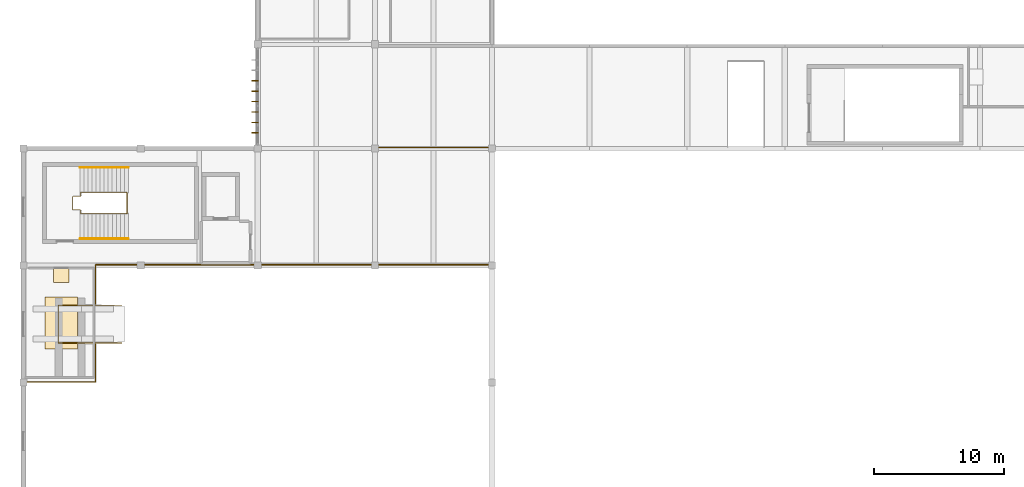
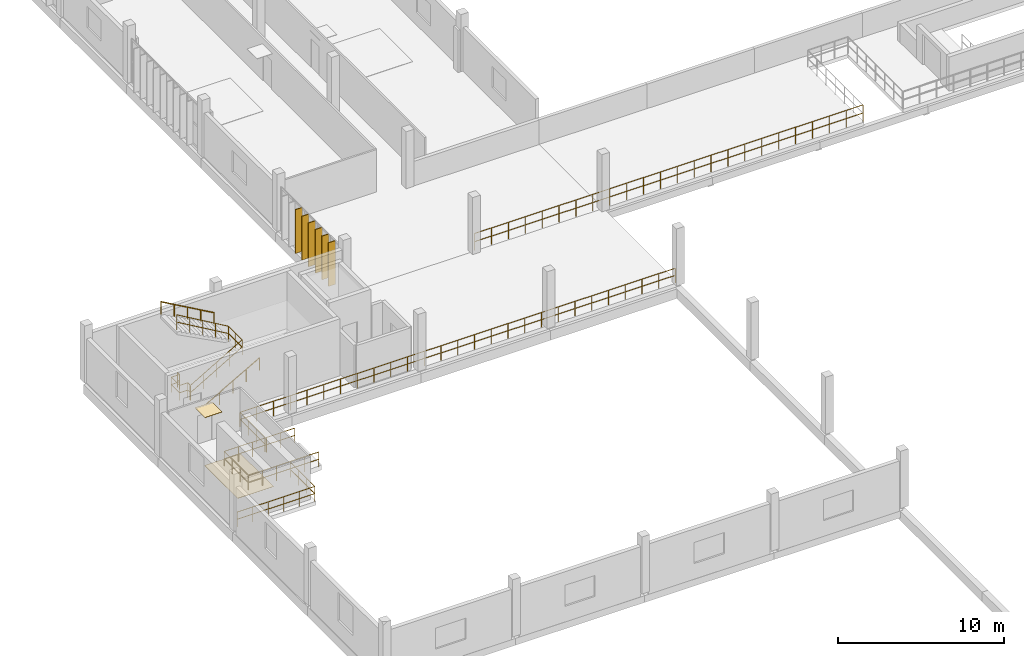
# One storey, part 52 of 61: 8 railings, 6 shading devices, 2 coverings.
"""IFC4 building model written with IfcOpenShell, lengths in metres."""

from ifc_helpers import new_model, si_unit, direction, frame, origin, origin_2d, place, context, subcontext, project, spatial, rectangle, circle, extrude, material, layer, layer_set, material_profile, profile_set, type_object, element, save


model = new_model("IFC4")

# Units and contexts
model_context = context("Model", 3, precision=1e-05, world=origin(), true_north=direction((0.0, 1.0)))
body_context = subcontext(model_context, "Body", "Model", "MODEL_VIEW")
ifc_project = project(units=[si_unit("LENGTHUNIT", "METRE"), si_unit("AREAUNIT", "SQUARE_METRE"), si_unit("VOLUMEUNIT", "CUBIC_METRE"), si_unit("PLANEANGLEUNIT", "RADIAN"), si_unit("MASSUNIT", "GRAM", prefix="KILO")], contexts=[model_context])

# Site, building, storey
site_placement = place(None, origin())
site = spatial("IfcSite", under=ifc_project, at=site_placement, CompositionType="ELEMENT")
building_placement = place(site_placement, origin())
building = spatial("IfcBuilding", under=site, at=building_placement, Name="Vourika Railside Aquatics Centre", CompositionType="ELEMENT")
storey_placement = place(building_placement, frame((0.0, 0.0, 9.300048828125)))
storey = spatial("IfcBuildingStorey", under=building, at=storey_placement, Name="L02", CompositionType="ELEMENT", Elevation=9.300048828125)

# Coverings
ifc_material_1 = material(Name="Perforated moisture-resistant acoustic gypsum ceiling")
ifc_layer_1 = layer(ifc_material_1, 0.02490234375, Name="COV-CEIL-25")
ifc_layer_set_1 = layer_set([ifc_layer_1], Name="Perforated moisture-resistant acoustic gypsum ceiling")
covering_type_1 = type_object("IfcCoveringType", Name="COV-CEIL-25", PredefinedType="CEILING", material=ifc_layer_set_1)
covering_1_placement = place(storey_placement, frame((2.89990234375, 48.280029296875, 2.637451171875), z_axis=(0.0, 0.0, 1.0), x_axis=(1.0, 0.0, 0.0)))
element("IfcCovering", 1, at=covering_1_placement, inside=storey, type_object=covering_type_1, Name="10 m Diving Platform Access and Judges Gallery Acoustic Ceiling Panel", PredefinedType="CEILING", context=body_context, shape_type="SweptSolid", body=[
    extrude(rectangle(XDim=1.199951171875, YDim=1.199951171875, at=origin_2d()), origin(), (0.0, 0.0, 1.0), 0.02490234375),
])
ifc_material_2 = material(Name="Slip-resistant aqua ceramic sports flooring")
ifc_layer_2 = layer(ifc_material_2, 0.02001953125, Name="COV-FLOR-20")
ifc_layer_set_2 = layer_set([ifc_layer_2], Name="Slip-resistant aqua ceramic sports flooring")
covering_type_2 = type_object("IfcCoveringType", Name="COV-FLOR-20", PredefinedType="FLOORING", material=ifc_layer_set_2)
covering_2_placement = place(storey_placement, frame((2.89990234375, 44.60009765625, 0.0), z_axis=(0.0, 0.0, 1.0), x_axis=(1.0, 0.0, 0.0)))
element("IfcCovering", 2, at=covering_2_placement, inside=storey, type_object=covering_type_2, Name="10 m Diving Platform Access and Judges Gallery Sports Flooring Panel", PredefinedType="FLOORING", context=body_context, shape_type="SweptSolid", body=[
    extrude(rectangle(XDim=2.5, YDim=4.0, at=origin_2d()), origin(), (0.0, 0.0, 1.0), 0.02001953125),
])

# Railings
ifc_material_3 = material(Name="Duplex stainless steel EN 1.4462", Category="steel")
railing_type_1 = type_object("IfcRailingType", Name="RL-BAL-CAT125", PredefinedType="BALUSTRADE", material=ifc_material_3)
railing_1_placement = place(storey_placement, frame((27.080078125, 58.080078125, 0.0)))
element("IfcRailing", 3, at=railing_1_placement, inside=storey, type_object=railing_type_1, Name="Broadcast Catwalk Poolside Guard 1", PredefinedType="BALUSTRADE", context=body_context, shape_type="SweptSolid", body=[
    extrude(circle(Radius=0.02392578125, at=origin_2d()), frame((0.0, 0.0, 1.22607421875), z_axis=(1.0, 0.0, 0.0), x_axis=(0.0, 1.0, 0.0)), (0.0, 0.0, 1.0), 27.0400390625),
    extrude(circle(Radius=0.02392578125, at=origin_2d()), frame((0.0, 0.0, 0.625), z_axis=(1.0, 0.0, 0.0), x_axis=(0.0, 1.0, 0.0)), (0.0, 0.0, 1.0), 27.0400390625),
    extrude(circle(Radius=0.02099609375, at=origin_2d()), origin(), (0.0, 0.0, 1.0), 1.201904296875),
    extrude(circle(Radius=0.02099609375, at=origin_2d()), frame((1.175537109375, 0.0, 0.0)), (0.0, 0.0, 1.0), 1.201904296875),
    extrude(circle(Radius=0.02099609375, at=origin_2d()), frame((2.351318359375, 0.0, 0.0)), (0.0, 0.0, 1.0), 1.201904296875),
    extrude(circle(Radius=0.02099609375, at=origin_2d()), frame((3.52685546875, 0.0, 0.0)), (0.0, 0.0, 1.0), 1.201904296875),
    extrude(circle(Radius=0.02099609375, at=origin_2d()), frame((4.70263671875, 0.0, 0.0)), (0.0, 0.0, 1.0), 1.201904296875),
    extrude(circle(Radius=0.02099609375, at=origin_2d()), frame((5.878173828125, 0.0, 0.0)), (0.0, 0.0, 1.0), 1.201904296875),
    extrude(circle(Radius=0.02099609375, at=origin_2d()), frame((7.053955078125, 0.0, 0.0)), (0.0, 0.0, 1.0), 1.201904296875),
    extrude(circle(Radius=0.02099609375, at=origin_2d()), frame((8.2294921875, 0.0, 0.0)), (0.0, 0.0, 1.0), 1.201904296875),
    extrude(circle(Radius=0.02099609375, at=origin_2d()), frame((9.4052734375, 0.0, 0.0)), (0.0, 0.0, 1.0), 1.201904296875),
    extrude(circle(Radius=0.02099609375, at=origin_2d()), frame((10.580810546875, 0.0, 0.0)), (0.0, 0.0, 1.0), 1.201904296875),
    extrude(circle(Radius=0.02099609375, at=origin_2d()), frame((11.756591796875, 0.0, 0.0)), (0.0, 0.0, 1.0), 1.201904296875),
    extrude(circle(Radius=0.02099609375, at=origin_2d()), frame((12.93212890625, 0.0, 0.0)), (0.0, 0.0, 1.0), 1.201904296875),
    extrude(circle(Radius=0.02099609375, at=origin_2d()), frame((14.10791015625, 0.0, 0.0)), (0.0, 0.0, 1.0), 1.201904296875),
    extrude(circle(Radius=0.02099609375, at=origin_2d()), frame((15.283447265625, 0.0, 0.0)), (0.0, 0.0, 1.0), 1.201904296875),
    extrude(circle(Radius=0.02099609375, at=origin_2d()), frame((16.459228515625, 0.0, 0.0)), (0.0, 0.0, 1.0), 1.201904296875),
    extrude(circle(Radius=0.02099609375, at=origin_2d()), frame((17.634765625, 0.0, 0.0)), (0.0, 0.0, 1.0), 1.201904296875),
    extrude(circle(Radius=0.02099609375, at=origin_2d()), frame((18.810546875, 0.0, 0.0)), (0.0, 0.0, 1.0), 1.201904296875),
    extrude(circle(Radius=0.02099609375, at=origin_2d()), frame((19.986083984375, 0.0, 0.0)), (0.0, 0.0, 1.0), 1.201904296875),
    extrude(circle(Radius=0.02099609375, at=origin_2d()), frame((21.161865234375, 0.0, 0.0)), (0.0, 0.0, 1.0), 1.201904296875),
    extrude(circle(Radius=0.02099609375, at=origin_2d()), frame((22.33740234375, 0.0, 0.0)), (0.0, 0.0, 1.0), 1.201904296875),
    extrude(circle(Radius=0.02099609375, at=origin_2d()), frame((23.51318359375, 0.0, 0.0)), (0.0, 0.0, 1.0), 1.201904296875),
    extrude(circle(Radius=0.02099609375, at=origin_2d()), frame((24.688720703125, 0.0, 0.0)), (0.0, 0.0, 1.0), 1.201904296875),
    extrude(circle(Radius=0.02099609375, at=origin_2d()), frame((25.864501953125, 0.0, 0.0)), (0.0, 0.0, 1.0), 1.201904296875),
    extrude(circle(Radius=0.02099609375, at=origin_2d()), frame((27.0400390625, 0.0, 0.0)), (0.0, 0.0, 1.0), 1.201904296875),
])
railing_type_2 = type_object("IfcRailingType", Name="RL-BAL-GLS110", PredefinedType="BALUSTRADE", material=ifc_material_3)
railing_2_placement = place(storey_placement, frame((0.14990234375, 40.06005859375, 0.0)))
element("IfcRailing", 4, at=railing_2_placement, inside=storey, type_object=railing_type_2, Name="10 m Platform Gallery South Balustrade", PredefinedType="BALUSTRADE", context=body_context, shape_type="SweptSolid", body=[
    extrude(circle(Radius=0.02392578125, at=origin_2d()), frame((0.0, 0.0, 1.076171875), z_axis=(1.0, 0.0, 0.0), x_axis=(0.0, 1.0, 0.0)), (0.0, 0.0, 1.0), 5.39013671875),
    extrude(circle(Radius=0.02392578125, at=origin_2d()), frame((0.0, 0.0, 0.550048828125), z_axis=(1.0, 0.0, 0.0), x_axis=(0.0, 1.0, 0.0)), (0.0, 0.0, 1.0), 5.39013671875),
    extrude(circle(Radius=0.02392578125, at=origin_2d()), frame((5.39013671875, 0.0, 1.076171875), z_axis=(0.0, 1.0, 0.0), x_axis=(-1.0, 0.0, 0.0)), (0.0, 0.0, 1.0), 2.889892578125),
    extrude(circle(Radius=0.02392578125, at=origin_2d()), frame((5.39013671875, 0.0, 0.550048828125), z_axis=(0.0, 1.0, 0.0), x_axis=(-1.0, 0.0, 0.0)), (0.0, 0.0, 1.0), 2.889892578125),
    extrude(circle(Radius=0.02099609375, at=origin_2d()), origin(), (0.0, 0.0, 1.0), 1.052001953125),
    extrude(circle(Radius=0.02099609375, at=origin_2d()), frame((1.078125, 0.0, 0.0)), (0.0, 0.0, 1.0), 1.052001953125),
    extrude(circle(Radius=0.02099609375, at=origin_2d()), frame((2.156005859375, 0.0, 0.0)), (0.0, 0.0, 1.0), 1.052001953125),
    extrude(circle(Radius=0.02099609375, at=origin_2d()), frame((3.234130859375, 0.0, 0.0)), (0.0, 0.0, 1.0), 1.052001953125),
    extrude(circle(Radius=0.02099609375, at=origin_2d()), frame((4.31201171875, 0.0, 0.0)), (0.0, 0.0, 1.0), 1.052001953125),
    extrude(circle(Radius=0.02099609375, at=origin_2d()), frame((5.39013671875, 0.0, 0.0)), (0.0, 0.0, 1.0), 1.052001953125),
    extrude(circle(Radius=0.02099609375, at=origin_2d()), frame((5.39013671875, 0.96337890625, 0.0)), (0.0, 0.0, 1.0), 1.052001953125),
    extrude(circle(Radius=0.02099609375, at=origin_2d()), frame((5.39013671875, 1.926513671875, 0.0)), (0.0, 0.0, 1.0), 1.052001953125),
    extrude(circle(Radius=0.02099609375, at=origin_2d()), frame((5.39013671875, 2.889892578125, 0.0)), (0.0, 0.0, 1.0), 1.052001953125),
])
railing_3_placement = place(storey_placement, frame((5.5400390625, 46.050048828125, 0.0)))
element("IfcRailing", 5, at=railing_3_placement, inside=storey, type_object=railing_type_2, Name="10 m Judges Gallery Poolside Balustrade", PredefinedType="BALUSTRADE", context=body_context, shape_type="SweptSolid", body=[
    extrude(circle(Radius=0.02392578125, at=origin_2d()), frame((0.0, 0.0, 1.076171875), z_axis=(0.0, 1.0, 0.0), x_axis=(-1.0, 0.0, 0.0)), (0.0, 0.0, 1.0), 3.010009765625),
    extrude(circle(Radius=0.02392578125, at=origin_2d()), frame((0.0, 0.0, 0.550048828125), z_axis=(0.0, 1.0, 0.0), x_axis=(-1.0, 0.0, 0.0)), (0.0, 0.0, 1.0), 3.010009765625),
    extrude(circle(Radius=0.02392578125, at=origin_2d()), frame((0.0, 3.010009765625, 1.076171875), z_axis=(1.0, 0.0, 0.0), x_axis=(0.0, 1.0, 0.0)), (0.0, 0.0, 1.0), 30.31005859375),
    extrude(circle(Radius=0.02392578125, at=origin_2d()), frame((0.0, 3.010009765625, 0.550048828125), z_axis=(1.0, 0.0, 0.0), x_axis=(0.0, 1.0, 0.0)), (0.0, 0.0, 1.0), 30.31005859375),
    extrude(circle(Radius=0.02099609375, at=origin_2d()), origin(), (0.0, 0.0, 1.0), 1.052001953125),
    extrude(circle(Radius=0.02099609375, at=origin_2d()), frame((0.0, 1.00341796875, 0.0)), (0.0, 0.0, 1.0), 1.052001953125),
    extrude(circle(Radius=0.02099609375, at=origin_2d()), frame((0.0, 2.006591796875, 0.0)), (0.0, 0.0, 1.0), 1.052001953125),
    extrude(circle(Radius=0.02099609375, at=origin_2d()), frame((0.0, 3.010009765625, 0.0)), (0.0, 0.0, 1.0), 1.052001953125),
    extrude(circle(Radius=0.02099609375, at=origin_2d()), frame((1.165771484375, 3.010009765625, 0.0)), (0.0, 0.0, 1.0), 1.052001953125),
    extrude(circle(Radius=0.02099609375, at=origin_2d()), frame((2.33154296875, 3.010009765625, 0.0)), (0.0, 0.0, 1.0), 1.052001953125),
    extrude(circle(Radius=0.02099609375, at=origin_2d()), frame((3.497314453125, 3.010009765625, 0.0)), (0.0, 0.0, 1.0), 1.052001953125),
    extrude(circle(Radius=0.02099609375, at=origin_2d()), frame((4.6630859375, 3.010009765625, 0.0)), (0.0, 0.0, 1.0), 1.052001953125),
    extrude(circle(Radius=0.02099609375, at=origin_2d()), frame((5.828857421875, 3.010009765625, 0.0)), (0.0, 0.0, 1.0), 1.052001953125),
    extrude(circle(Radius=0.02099609375, at=origin_2d()), frame((6.99462890625, 3.010009765625, 0.0)), (0.0, 0.0, 1.0), 1.052001953125),
    extrude(circle(Radius=0.02099609375, at=origin_2d()), frame((8.160400390625, 3.010009765625, 0.0)), (0.0, 0.0, 1.0), 1.052001953125),
    extrude(circle(Radius=0.02099609375, at=origin_2d()), frame((9.326171875, 3.010009765625, 0.0)), (0.0, 0.0, 1.0), 1.052001953125),
    extrude(circle(Radius=0.02099609375, at=origin_2d()), frame((10.491943359375, 3.010009765625, 0.0)), (0.0, 0.0, 1.0), 1.052001953125),
    extrude(circle(Radius=0.02099609375, at=origin_2d()), frame((11.65771484375, 3.010009765625, 0.0)), (0.0, 0.0, 1.0), 1.052001953125),
    extrude(circle(Radius=0.02099609375, at=origin_2d()), frame((12.823486328125, 3.010009765625, 0.0)), (0.0, 0.0, 1.0), 1.052001953125),
    extrude(circle(Radius=0.02099609375, at=origin_2d()), frame((13.9892578125, 3.010009765625, 0.0)), (0.0, 0.0, 1.0), 1.052001953125),
    extrude(circle(Radius=0.02099609375, at=origin_2d()), frame((15.155029296875, 3.010009765625, 0.0)), (0.0, 0.0, 1.0), 1.052001953125),
    extrude(circle(Radius=0.02099609375, at=origin_2d()), frame((16.32080078125, 3.010009765625, 0.0)), (0.0, 0.0, 1.0), 1.052001953125),
    extrude(circle(Radius=0.02099609375, at=origin_2d()), frame((17.486572265625, 3.010009765625, 0.0)), (0.0, 0.0, 1.0), 1.052001953125),
    extrude(circle(Radius=0.02099609375, at=origin_2d()), frame((18.65234375, 3.010009765625, 0.0)), (0.0, 0.0, 1.0), 1.052001953125),
    extrude(circle(Radius=0.02099609375, at=origin_2d()), frame((19.818115234375, 3.010009765625, 0.0)), (0.0, 0.0, 1.0), 1.052001953125),
    extrude(circle(Radius=0.02099609375, at=origin_2d()), frame((20.98388671875, 3.010009765625, 0.0)), (0.0, 0.0, 1.0), 1.052001953125),
    extrude(circle(Radius=0.02099609375, at=origin_2d()), frame((22.149658203125, 3.010009765625, 0.0)), (0.0, 0.0, 1.0), 1.052001953125),
    extrude(circle(Radius=0.02099609375, at=origin_2d()), frame((23.3154296875, 3.010009765625, 0.0)), (0.0, 0.0, 1.0), 1.052001953125),
    extrude(circle(Radius=0.02099609375, at=origin_2d()), frame((24.481201171875, 3.010009765625, 0.0)), (0.0, 0.0, 1.0), 1.052001953125),
    extrude(circle(Radius=0.02099609375, at=origin_2d()), frame((25.64697265625, 3.010009765625, 0.0)), (0.0, 0.0, 1.0), 1.052001953125),
    extrude(circle(Radius=0.02099609375, at=origin_2d()), frame((26.812744140625, 3.010009765625, 0.0)), (0.0, 0.0, 1.0), 1.052001953125),
    extrude(circle(Radius=0.02099609375, at=origin_2d()), frame((27.978515625, 3.010009765625, 0.0)), (0.0, 0.0, 1.0), 1.052001953125),
    extrude(circle(Radius=0.02099609375, at=origin_2d()), frame((29.144287109375, 3.010009765625, 0.0)), (0.0, 0.0, 1.0), 1.052001953125),
    extrude(circle(Radius=0.02099609375, at=origin_2d()), frame((30.31005859375, 3.010009765625, 0.0)), (0.0, 0.0, 1.0), 1.052001953125),
])
railing_type_3 = type_object("IfcRailingType", Name="RL-BAL-STL", PredefinedType="BALUSTRADE", material=ifc_material_3)
railing_4_placement = place(storey_placement, frame((7.550048828125, 43.050048828125, 0.0)))
element("IfcRailing", 6, at=railing_4_placement, inside=storey, type_object=railing_type_3, Name="Diving Platform 10.0 m Safety Guardrail", PredefinedType="BALUSTRADE", context=body_context, shape_type="SweptSolid", body=[
    extrude(circle(Radius=0.02392578125, at=origin_2d()), frame((0.0, 0.0, 1.09619140625), z_axis=(-1.0, 0.0, 0.0), x_axis=(0.0, -1.0, 0.0)), (0.0, 0.0, 1.0), 4.900146484375),
    extrude(circle(Radius=0.02392578125, at=origin_2d()), frame((0.0, 0.0, 0.56005859375), z_axis=(-1.0, 0.0, 0.0), x_axis=(0.0, -1.0, 0.0)), (0.0, 0.0, 1.0), 4.900146484375),
    extrude(circle(Radius=0.02392578125, at=origin_2d()), frame((-4.900146484375, 0.0, 1.09619140625), z_axis=(0.0, 1.0, 0.0), x_axis=(-1.0, 0.0, 0.0)), (0.0, 0.0, 1.0), 2.89990234375),
    extrude(circle(Radius=0.02392578125, at=origin_2d()), frame((-4.900146484375, 0.0, 0.56005859375), z_axis=(0.0, 1.0, 0.0), x_axis=(-1.0, 0.0, 0.0)), (0.0, 0.0, 1.0), 2.89990234375),
    extrude(circle(Radius=0.02392578125, at=origin_2d()), frame((-4.900146484375, 2.89990234375, 1.09619140625), z_axis=(1.0, 0.0, 0.0), x_axis=(0.0, 1.0, 0.0)), (0.0, 0.0, 1.0), 4.900146484375),
    extrude(circle(Radius=0.02392578125, at=origin_2d()), frame((-4.900146484375, 2.89990234375, 0.56005859375), z_axis=(1.0, 0.0, 0.0), x_axis=(0.0, 1.0, 0.0)), (0.0, 0.0, 1.0), 4.900146484375),
    extrude(circle(Radius=0.02099609375, at=origin_2d()), origin(), (0.0, 0.0, 1.0), 1.072021484375),
    extrude(circle(Radius=0.02099609375, at=origin_2d()), frame((-0.97998046875, 0.0, 0.0)), (0.0, 0.0, 1.0), 1.072021484375),
    extrude(circle(Radius=0.02099609375, at=origin_2d()), frame((-1.9599609375, 0.0, 0.0)), (0.0, 0.0, 1.0), 1.072021484375),
    extrude(circle(Radius=0.02099609375, at=origin_2d()), frame((-2.940185546875, 0.0, 0.0)), (0.0, 0.0, 1.0), 1.072021484375),
    extrude(circle(Radius=0.02099609375, at=origin_2d()), frame((-3.920166015625, 0.0, 0.0)), (0.0, 0.0, 1.0), 1.072021484375),
    extrude(circle(Radius=0.02099609375, at=origin_2d()), frame((-4.900146484375, 0.0, 0.0)), (0.0, 0.0, 1.0), 1.072021484375),
    extrude(circle(Radius=0.02099609375, at=origin_2d()), frame((-4.900146484375, 0.966552734375, 0.0)), (0.0, 0.0, 1.0), 1.072021484375),
    extrude(circle(Radius=0.02099609375, at=origin_2d()), frame((-4.900146484375, 1.933349609375, 0.0)), (0.0, 0.0, 1.0), 1.072021484375),
    extrude(circle(Radius=0.02099609375, at=origin_2d()), frame((-4.900146484375, 2.89990234375, 0.0)), (0.0, 0.0, 1.0), 1.072021484375),
    extrude(circle(Radius=0.02099609375, at=origin_2d()), frame((-3.920166015625, 2.89990234375, 0.0)), (0.0, 0.0, 1.0), 1.072021484375),
    extrude(circle(Radius=0.02099609375, at=origin_2d()), frame((-2.940185546875, 2.89990234375, 0.0)), (0.0, 0.0, 1.0), 1.072021484375),
    extrude(circle(Radius=0.02099609375, at=origin_2d()), frame((-1.9599609375, 2.89990234375, 0.0)), (0.0, 0.0, 1.0), 1.072021484375),
    extrude(circle(Radius=0.02099609375, at=origin_2d()), frame((-0.97998046875, 2.89990234375, 0.0)), (0.0, 0.0, 1.0), 1.072021484375),
    extrude(circle(Radius=0.02099609375, at=origin_2d()), frame((0.0, 2.89990234375, 0.0)), (0.0, 0.0, 1.0), 1.072021484375),
])
railing_type_4 = type_object("IfcRailingType", Name="RL-HAND-920", PredefinedType="HANDRAIL", material=ifc_material_3)
railing_5_placement = place(storey_placement, frame((4.35009765625, 51.06005859375, 0.0)))
element("IfcRailing", 7, at=railing_5_placement, inside=storey, type_object=railing_type_4, Name="Protected Exit Stair Core ST04 Lower Wall Handrail (L02)", PredefinedType="HANDRAIL", context=body_context, shape_type="SweptSolid", body=[
    extrude(circle(Radius=0.02392578125, at=origin_2d()), frame((0.0, 0.0, 0.89599609375), z_axis=(0.869459921425, 0.0, 0.494003486866), x_axis=(0.0, 1.0, 0.0)), (0.0, 0.0, 1.0), 4.250732421875),
    extrude(circle(Radius=0.02099609375, at=origin_2d()), origin(), (0.0, 0.0, 1.0), 0.871826171875),
    extrude(circle(Radius=0.02099609375, at=origin_2d()), frame((0.923828125, 0.0, 0.52490234375)), (0.0, 0.0, 1.0), 0.871826171875),
    extrude(circle(Radius=0.02099609375, at=origin_2d()), frame((1.847900390625, 0.0, 1.0498046875)), (0.0, 0.0, 1.0), 0.871826171875),
    extrude(circle(Radius=0.02099609375, at=origin_2d()), frame((2.77197265625, 0.0, 1.574951171875)), (0.0, 0.0, 1.0), 0.871826171875),
    extrude(circle(Radius=0.02099609375, at=origin_2d()), frame((3.69580078125, 0.0, 2.099853515625)), (0.0, 0.0, 1.0), 0.871826171875),
])
railing_6_placement = place(storey_placement, frame((8.0458984375, 56.5400390625, 2.099853515625)))
element("IfcRailing", 8, at=railing_6_placement, inside=storey, type_object=railing_type_4, Name="Protected Exit Stair Core ST04 Upper Wall Handrail (L02)", PredefinedType="HANDRAIL", context=body_context, shape_type="SweptSolid", body=[
    extrude(circle(Radius=0.02392578125, at=origin_2d()), frame((0.0, 0.0, 0.89599609375), z_axis=(-0.869435251524, 0.0, 0.494046904057), x_axis=(0.0, -1.0, 0.0)), (0.0, 0.0, 1.0), 4.250732421875),
    extrude(circle(Radius=0.02099609375, at=origin_2d()), origin(), (0.0, 0.0, 1.0), 0.871826171875),
    extrude(circle(Radius=0.02099609375, at=origin_2d()), frame((-0.923828125, 0.0, 0.52490234375)), (0.0, 0.0, 1.0), 0.871826171875),
    extrude(circle(Radius=0.02099609375, at=origin_2d()), frame((-1.847900390625, 0.0, 1.050048828125)), (0.0, 0.0, 1.0), 0.871826171875),
    extrude(circle(Radius=0.02099609375, at=origin_2d()), frame((-2.77197265625, 0.0, 1.5751953125)), (0.0, 0.0, 1.0), 0.871826171875),
    extrude(circle(Radius=0.02099609375, at=origin_2d()), frame((-3.69580078125, 0.0, 2.10009765625)), (0.0, 0.0, 1.0), 0.871826171875),
])
railing_type_5 = type_object("IfcRailingType", Name="RL-STAIR-1120", PredefinedType="BALUSTRADE", material=ifc_material_3)
railing_7_placement = place(storey_placement, frame((4.35009765625, 53.050048828125, 0.0)))
element("IfcRailing", 9, at=railing_7_placement, inside=storey, type_object=railing_type_5, Name="Protected Exit Stair Core ST04 Well Edge Guard (L02)", PredefinedType="BALUSTRADE", context=body_context, shape_type="SweptSolid", body=[
    extrude(circle(Radius=0.02392578125, at=origin_2d()), frame((0.0, 0.0, 1.09619140625), z_axis=(0.0, 1.0, 0.0), x_axis=(-1.0, 0.0, 0.0)), (0.0, 0.0, 1.0), 0.25),
    extrude(circle(Radius=0.02392578125, at=origin_2d()), frame((0.0, 0.0, 0.56005859375), z_axis=(0.0, 1.0, 0.0), x_axis=(-1.0, 0.0, 0.0)), (0.0, 0.0, 1.0), 0.25),
    extrude(circle(Radius=0.02392578125, at=origin_2d()), frame((0.0, 0.25, 1.09619140625), z_axis=(-1.0, 0.0, 0.0), x_axis=(0.0, -1.0, 0.0)), (0.0, 0.0, 1.0), 0.570068359375),
    extrude(circle(Radius=0.02392578125, at=origin_2d()), frame((0.0, 0.25, 0.56005859375), z_axis=(-1.0, 0.0, 0.0), x_axis=(0.0, -1.0, 0.0)), (0.0, 0.0, 1.0), 0.570068359375),
    extrude(circle(Radius=0.02392578125, at=origin_2d()), frame((-0.570068359375, 0.25, 1.09619140625), z_axis=(0.0, 1.0, 0.0), x_axis=(-1.0, 0.0, 0.0)), (0.0, 0.0, 1.0), 1.0),
    extrude(circle(Radius=0.02392578125, at=origin_2d()), frame((-0.570068359375, 0.25, 0.56005859375), z_axis=(0.0, 1.0, 0.0), x_axis=(-1.0, 0.0, 0.0)), (0.0, 0.0, 1.0), 1.0),
    extrude(circle(Radius=0.02392578125, at=origin_2d()), frame((-0.570068359375, 1.25, 1.09619140625), z_axis=(1.0, 0.0, 0.0), x_axis=(0.0, 1.0, 0.0)), (0.0, 0.0, 1.0), 0.570068359375),
    extrude(circle(Radius=0.02392578125, at=origin_2d()), frame((-0.570068359375, 1.25, 0.56005859375), z_axis=(1.0, 0.0, 0.0), x_axis=(0.0, 1.0, 0.0)), (0.0, 0.0, 1.0), 0.570068359375),
    extrude(circle(Radius=0.02392578125, at=origin_2d()), frame((0.0, 1.25, 1.09619140625), z_axis=(0.0, 1.0, 0.0), x_axis=(-1.0, 0.0, 0.0)), (0.0, 0.0, 1.0), 0.25),
    extrude(circle(Radius=0.02392578125, at=origin_2d()), frame((0.0, 1.25, 0.56005859375), z_axis=(0.0, 1.0, 0.0), x_axis=(-1.0, 0.0, 0.0)), (0.0, 0.0, 1.0), 0.25),
    extrude(circle(Radius=0.02099609375, at=origin_2d()), origin(), (0.0, 0.0, 1.0), 1.072021484375),
    extrude(circle(Radius=0.02099609375, at=origin_2d()), frame((0.0, 0.25, 0.0)), (0.0, 0.0, 1.0), 1.072021484375),
    extrude(circle(Radius=0.02099609375, at=origin_2d()), frame((-0.570068359375, 0.25, 0.0)), (0.0, 0.0, 1.0), 1.072021484375),
    extrude(circle(Radius=0.02099609375, at=origin_2d()), frame((-0.570068359375, 1.25, 0.0)), (0.0, 0.0, 1.0), 1.072021484375),
    extrude(circle(Radius=0.02099609375, at=origin_2d()), frame((0.0, 1.25, 0.0)), (0.0, 0.0, 1.0), 1.072021484375),
    extrude(circle(Radius=0.02099609375, at=origin_2d()), frame((0.0, 1.5, 0.0)), (0.0, 0.0, 1.0), 1.072021484375),
])
railing_8_placement = place(storey_placement, frame((4.35009765625, 52.97998046875, 0.0)))
element("IfcRailing", 10, at=railing_8_placement, inside=storey, type_object=railing_type_5, Name="Protected Exit Stair Core ST04 Center Well Guard (L02)", PredefinedType="BALUSTRADE", context=body_context, shape_type="SweptSolid", body=[
    extrude(circle(Radius=0.02392578125, at=origin_2d()), frame((0.0, 0.0, 1.09619140625), z_axis=(0.863547027374, 0.0, 0.504268313018), x_axis=(0.0, 1.0, 0.0)), (0.0, 0.0, 1.0), 4.1640625),
    extrude(circle(Radius=0.02392578125, at=origin_2d()), frame((0.0, 0.0, 0.56005859375), z_axis=(0.863547027374, 0.0, 0.504268313018), x_axis=(0.0, 1.0, 0.0)), (0.0, 0.0, 1.0), 4.1640625),
    extrude(circle(Radius=0.02392578125, at=origin_2d()), frame((3.595947265625, 0.0, 3.19580078125), z_axis=(0.0, 1.0, 0.0), x_axis=(-1.0, 0.0, 0.0)), (0.0, 0.0, 1.0), 1.64013671875),
    extrude(circle(Radius=0.02392578125, at=origin_2d()), frame((3.595947265625, 0.0, 2.659912109375), z_axis=(0.0, 1.0, 0.0), x_axis=(-1.0, 0.0, 0.0)), (0.0, 0.0, 1.0), 1.64013671875),
    extrude(circle(Radius=0.02392578125, at=origin_2d()), frame((3.595947265625, 1.64013671875, 3.19580078125), z_axis=(-0.863521496458, 0.0, 0.504312031539), x_axis=(0.0, -1.0, 0.0)), (0.0, 0.0, 1.0), 4.164306640625),
    extrude(circle(Radius=0.02392578125, at=origin_2d()), frame((3.595947265625, 1.64013671875, 2.659912109375), z_axis=(-0.863521496458, 0.0, 0.504312031539), x_axis=(0.0, -1.0, 0.0)), (0.0, 0.0, 1.0), 4.164306640625),
    extrude(circle(Radius=0.02099609375, at=origin_2d()), origin(), (0.0, 0.0, 1.0), 1.072021484375),
    extrude(circle(Radius=0.02099609375, at=origin_2d()), frame((0.89892578125, 0.0, 0.52490234375)), (0.0, 0.0, 1.0), 1.072021484375),
    extrude(circle(Radius=0.02099609375, at=origin_2d()), frame((1.7978515625, 0.0, 1.0498046875)), (0.0, 0.0, 1.0), 1.072021484375),
    extrude(circle(Radius=0.02099609375, at=origin_2d()), frame((2.697021484375, 0.0, 1.574951171875)), (0.0, 0.0, 1.0), 1.072021484375),
    extrude(circle(Radius=0.02099609375, at=origin_2d()), frame((3.595947265625, 0.0, 2.099853515625)), (0.0, 0.0, 1.0), 1.072021484375),
    extrude(circle(Radius=0.02099609375, at=origin_2d()), frame((3.595947265625, 0.820068359375, 2.099853515625)), (0.0, 0.0, 1.0), 1.072021484375),
    extrude(circle(Radius=0.02099609375, at=origin_2d()), frame((3.595947265625, 1.64013671875, 2.099853515625)), (0.0, 0.0, 1.0), 1.072021484375),
    extrude(circle(Radius=0.02099609375, at=origin_2d()), frame((2.697021484375, 1.64013671875, 2.625)), (0.0, 0.0, 1.0), 1.072021484375),
    extrude(circle(Radius=0.02099609375, at=origin_2d()), frame((1.7978515625, 1.64013671875, 3.14990234375)), (0.0, 0.0, 1.0), 1.072021484375),
    extrude(circle(Radius=0.02099609375, at=origin_2d()), frame((0.89892578125, 1.64013671875, 3.6748046875)), (0.0, 0.0, 1.0), 1.072021484375),
    extrude(circle(Radius=0.02099609375, at=origin_2d()), frame((0.0, 1.64013671875, 4.199951171875)), (0.0, 0.0, 1.0), 1.072021484375),
])

# Shading devices
ifc_material_4 = material(Name="Bronze-anodized extruded aluminium", Category="aluminium")
ifc_material_profile = material_profile(ifc_material_4, rectangle(XDim=0.06005859375, YDim=0.47998046875, at=origin_2d()), Name="ALU-FIN 60x480")
ifc_profile_set = profile_set([ifc_material_profile], Name="Bronze-anodized extruded aluminium")
shading_device_type = type_object("IfcShadingDeviceType", Name="SHD-FIN-F48A", PredefinedType="USERDEFINED", material=ifc_profile_set)
for number, where, z_axis, x_axis, name in (
    (11, (17.784912109375, 59.199951171875, 0.0), (0.0, 0.0, 1.0), (0.0, 1.0, 0.0), "Vertical Solar Fin VSF-0971"),
    (12, (17.784912109375, 60.0, 0.0), (0.0, 0.0, 1.0), (0.0, 1.0, 0.0), "Vertical Solar Fin VSF-0972"),
    (13, (17.784912109375, 60.800048828125, 0.0), (0.0, 0.0, 1.0), (0.0, 1.0, 0.0), "Vertical Solar Fin VSF-0973"),
    (14, (17.784912109375, 61.60009765625, 0.0), (0.0, 0.0, 1.0), (0.0, 1.0, 0.0), "Vertical Solar Fin VSF-0974"),
    (15, (17.784912109375, 62.39990234375, 0.0), (0.0, 0.0, 1.0), (0.0, 1.0, 0.0), "Vertical Solar Fin VSF-0975"),
    (16, (17.784912109375, 63.199951171875, 0.0), (0.0, 0.0, 1.0), (0.0, 1.0, 0.0), "Vertical Solar Fin VSF-0976"),
):
    element("IfcShadingDevice", number, at=place(storey_placement, frame(where, z_axis=z_axis, x_axis=x_axis)), inside=storey, type_object=shading_device_type, Name=name, ObjectType="FIN", PredefinedType="USERDEFINED", context=body_context, shape_type="SweptSolid", body=[
        extrude(rectangle(XDim=0.06005859375, YDim=0.47998046875, at=origin_2d()), origin(), (0.0, 0.0, 1.0), 3.219970703125),
    ])

save(model, "model.ifc")
